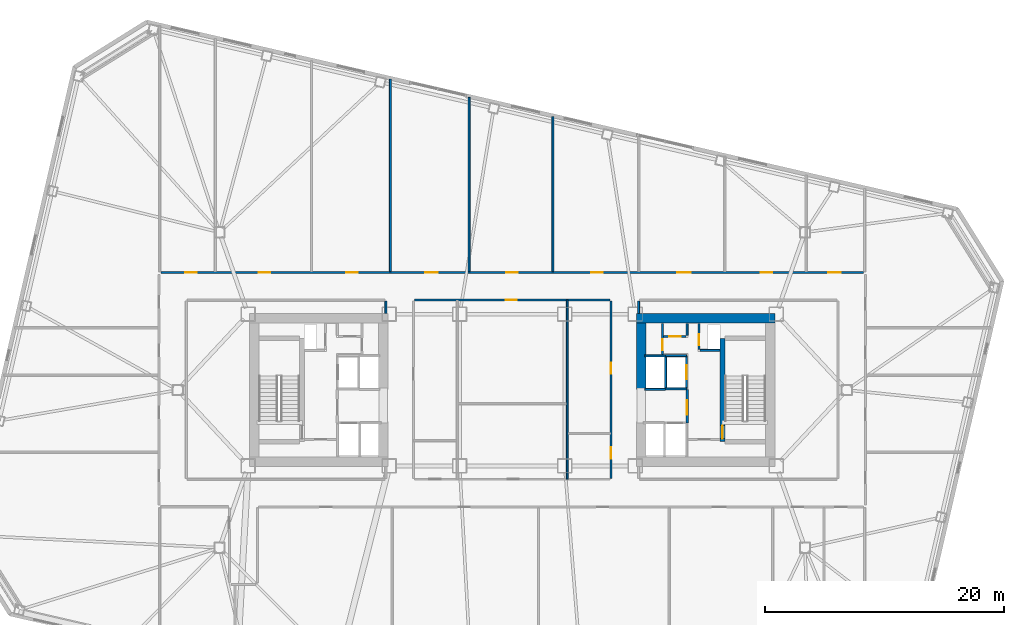
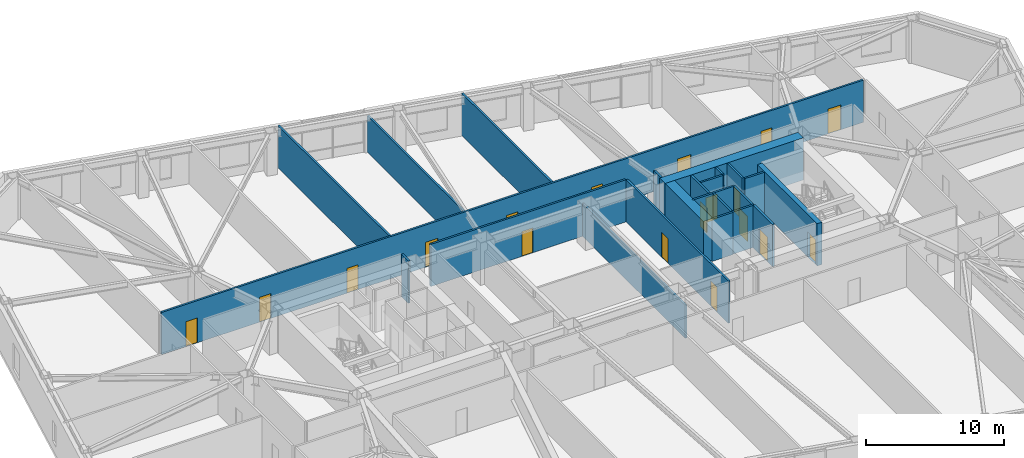
# One storey, part 11 of 18: 24 walls, 18 doors, 18 openings.
"""IFC4 building model written with IfcOpenShell, lengths in metres."""

from ifc_helpers import new_model, si_unit, direction, frame, frame_2d, origin, place, context, subcontext, project, spatial, rectangle, extrude, material, layer, layer_set, type_object, element, fill, save


model = new_model("IFC4")

# Units and contexts
model_context = context("Model", 3, precision=1e-05, world=origin(), true_north=direction((0.0, 1.0)))
body_context = subcontext(model_context, "Body", "Model", "MODEL_VIEW")
ifc_project = project(units=[si_unit("LENGTHUNIT", "METRE"), si_unit("AREAUNIT", "SQUARE_METRE"), si_unit("VOLUMEUNIT", "CUBIC_METRE"), si_unit("PLANEANGLEUNIT", "RADIAN"), si_unit("MASSUNIT", "GRAM", prefix="KILO")], contexts=[model_context])

# Site, building, storey
site_placement = place(None, origin())
site = spatial("IfcSite", under=ifc_project, at=site_placement, CompositionType="ELEMENT")
building_placement = place(site_placement, origin())
building = spatial("IfcBuilding", under=site, at=building_placement, Name="Tavrogorsk Clinical Tower", CompositionType="ELEMENT")
storey_placement = place(building_placement, frame((0.0, 0.0, 47.39990234375)))
storey = spatial("IfcBuildingStorey", under=building, at=storey_placement, Name="L09", CompositionType="ELEMENT", Elevation=47.39990234375)

# Wall, opening, door
ifc_material_1 = material(Name="Concrete B60", Category="concrete")
ifc_layer_1 = layer(ifc_material_1, 0.199951171875)
ifc_layer_set_1 = layer_set([ifc_layer_1], Name="Concrete B60")
wall_type_1 = type_object("IfcWallType", Name="CoreFireWall_200", PredefinedType="SOLIDWALL", material=ifc_layer_set_1)
wall_1_placement = place(storey_placement, frame((14.639892578125, -2.780029296875, 0.0), z_axis=(0.0, 0.0, 1.0), x_axis=(0.0, 1.0, 0.0)))
wall_1 = element("IfcWall", 1, at=wall_1_placement, inside=storey, type_object=wall_type_1, Name="L09 Core East Firefighting Lobby Fire Wall", PredefinedType="SOLIDWALL", context=body_context, shape_type="SweptSolid", body=[
    extrude(rectangle(XDim=2.820068359375, YDim=0.199951171875, at=frame_2d((1.41015625, 0.0))), origin(), (0.0, 0.0, 1.0), 3.739990234375),
])
opening_1_placement = place(wall_1_placement, frame((0.72998046875, 0.0, 0.0)))
opening_1 = element("IfcOpeningElement", 2, at=opening_1_placement, cuts=wall_1, Name="Opening FD-01", PredefinedType="OPENING", context=body_context, shape_type="SweptSolid", body=[
    extrude(rectangle(XDim=1.199951171875, YDim=2.199951171875, at=frame_2d((0.60009765625, 1.10009765625))), frame((0.0, 0.10986328125, 0.0), z_axis=(0.0, -1.0, 0.0), x_axis=(1.0, 0.0, 0.0)), (0.0, 0.0, 1.0), 0.219970703125),
])
ifc_material_2 = material(Name="Galvanised steel fire-rated door assembly", Category="steel")
door_type_1 = type_object("IfcDoorType", Name="FireDoor_FD01_1200", OperationType="NOTDEFINED", PredefinedType="DOOR", material=ifc_material_2)
door_1_placement = place(opening_1_placement, origin())
door_1 = element("IfcDoor", 3, at=door_1_placement, inside=storey, type_object=door_type_1, Name="L09 Core East Firefighting Lobby Entry Door", OperationType="SINGLE_SWING_RIGHT", OverallHeight=2.199951171875, OverallWidth=1.199951171875, PredefinedType="DOOR", context=body_context, shape_type="SweptSolid", body=[
    extrude(rectangle(XDim=1.199951171875, YDim=2.199951171875, at=frame_2d((0.60009765625, 1.10009765625))), frame((0.0, 0.02490234375, 0.0), z_axis=(0.0, -1.0, 0.0), x_axis=(1.0, 0.0, 0.0)), (0.0, 0.0, 1.0), 0.050048828125),
])
fill(opening_1, door_1)

# Wall
ifc_material_3 = material(Name="Lightweight concrete blockwork B15", Category="masonry")
ifc_layer_2 = layer(ifc_material_3, 0.139892578125)
ifc_layer_set_2 = layer_set([ifc_layer_2], Name="Lightweight concrete blockwork B15")
wall_type_2 = type_object("IfcWallType", Name="PartitionWall_140", PredefinedType="PARTITIONING", material=ifc_layer_set_2)
wall_2_placement = place(storey_placement, frame((4.60009765625, -7.465087890625, 0.0), z_axis=(0.0, 0.0, 1.0), x_axis=(0.0, 1.0, 0.0)))
element("IfcWall", 4, at=wall_2_placement, inside=storey, type_object=wall_type_2, Name="L09 Central Spine Partition 2", PredefinedType="PARTITIONING", context=body_context, shape_type="SweptSolid", body=[
    extrude(rectangle(XDim=14.97998046875, YDim=0.139892578125, at=frame_2d((7.489990234375, 0.0))), origin(), (0.0, 0.0, 1.0), 2.93505859375),
])

# Wall, opening, door
ifc_material_4 = material(Name="Lightweight concrete blockwork B15", Category="masonry")
ifc_layer_3 = layer(ifc_material_4, 0.159912109375)
ifc_layer_set_3 = layer_set([ifc_layer_3], Name="Lightweight concrete blockwork B15")
wall_type_3 = type_object("IfcWallType", Name="PartitionWall_160", PredefinedType="PARTITIONING", material=ifc_layer_set_3)
wall_3_placement = place(storey_placement, frame((12.580078125, 2.9599609375, 0.0), z_axis=(0.0, 0.0, 1.0), x_axis=(0.0, 1.0, 0.0)))
wall_3 = element("IfcWall", 5, at=wall_3_placement, inside=storey, type_object=wall_type_3, Name="L09 Core East Linen Closet Wall", PredefinedType="PARTITIONING", context=body_context, shape_type="SweptSolid", body=[
    extrude(rectangle(XDim=2.60009765625, YDim=0.159912109375, at=frame_2d((1.300048828125, 0.0))), origin(), (0.0, 0.0, 1.0), 3.739990234375),
])
opening_2_placement = place(wall_3_placement, frame((0.35009765625, 0.0, 0.0)))
opening_2 = element("IfcOpeningElement", 6, at=opening_2_placement, cuts=wall_3, Name="Opening ID-02", PredefinedType="OPENING", context=body_context, shape_type="SweptSolid", body=[
    extrude(rectangle(XDim=0.949951171875, YDim=2.199951171875, at=frame_2d((0.47509765625, 1.10009765625))), frame((0.0, 0.08984375, 0.0), z_axis=(0.0, -1.0, 0.0), x_axis=(1.0, 0.0, 0.0)), (0.0, 0.0, 1.0), 0.179931640625),
])
ifc_material_5 = material(Name="Laminated timber leaf on aluminium frame", Category="wood")
door_type_2 = type_object("IfcDoorType", Name="InteriorDoor_ID02_950", OperationType="NOTDEFINED", PredefinedType="DOOR", material=ifc_material_5)
door_2_placement = place(opening_2_placement, origin())
door_2 = element("IfcDoor", 7, at=door_2_placement, inside=storey, type_object=door_type_2, Name="L09 Core East Linen Closet Door", OperationType="SINGLE_SWING_RIGHT", OverallHeight=2.199951171875, OverallWidth=0.949951171875, PredefinedType="DOOR", context=body_context, shape_type="SweptSolid", body=[
    extrude(rectangle(XDim=0.949951171875, YDim=2.199951171875, at=frame_2d((0.47509765625, 1.10009765625))), frame((0.0, 0.02490234375, 0.0), z_axis=(0.0, -1.0, 0.0), x_axis=(1.0, 0.0, 0.0)), (0.0, 0.0, 1.0), 0.050048828125),
])
fill(opening_2, door_2)

wall_4_placement = place(storey_placement, frame((12.6650390625, 4.47998046875, 0.0), z_axis=(0.0, 0.0, 1.0), x_axis=(1.0, 0.0, 0.0)))
wall_4 = element("IfcWall", 8, at=wall_4_placement, inside=storey, type_object=wall_type_3, Name="L09 Core East Housekeeping South Wall", PredefinedType="PARTITIONING", context=body_context, shape_type="SweptSolid", body=[
    extrude(rectangle(XDim=1.889892578125, YDim=0.159912109375, at=frame_2d((0.94482421875, 0.0))), origin(), (0.0, 0.0, 1.0), 3.739990234375),
])
opening_3_placement = place(wall_4_placement, frame((0.5, 0.0, 0.0)))
opening_3 = element("IfcOpeningElement", 9, at=opening_3_placement, cuts=wall_4, Name="Opening ID-02", PredefinedType="OPENING", context=body_context, shape_type="SweptSolid", body=[
    extrude(rectangle(XDim=0.949951171875, YDim=2.199951171875, at=frame_2d((0.47509765625, 1.10009765625))), frame((0.0, 0.08984375, 0.0), z_axis=(0.0, -1.0, 0.0), x_axis=(1.0, 0.0, 0.0)), (0.0, 0.0, 1.0), 0.179931640625),
])
door_3_placement = place(opening_3_placement, origin())
door_3 = element("IfcDoor", 10, at=door_3_placement, inside=storey, type_object=door_type_2, Name="L09 Core East Housekeeping Closet Door", OperationType="SINGLE_SWING_LEFT", OverallHeight=2.199951171875, OverallWidth=0.949951171875, PredefinedType="DOOR", context=body_context, shape_type="SweptSolid", body=[
    extrude(rectangle(XDim=0.949951171875, YDim=2.199951171875, at=frame_2d((0.47509765625, 1.10009765625))), frame((0.0, 0.02490234375, 0.0), z_axis=(0.0, -1.0, 0.0), x_axis=(1.0, 0.0, 0.0)), (0.0, 0.0, 1.0), 0.050048828125),
])
fill(opening_3, door_3)

# Wall
wall_5_placement = place(storey_placement, frame((14.639892578125, 4.56494140625, 0.0), z_axis=(0.0, 0.0, 1.0), x_axis=(0.0, 1.0, 0.0)))
element("IfcWall", 11, at=wall_5_placement, inside=storey, type_object=wall_type_3, Name="L09 Core East Housekeeping East Wall", PredefinedType="PARTITIONING", context=body_context, shape_type="SweptSolid", body=[
    extrude(rectangle(XDim=0.9951171875, YDim=0.159912109375, at=frame_2d((0.49755859375, 0.0))), origin(), (0.0, 0.0, 1.0), 3.739990234375),
])

# Wall, openings, doors
wall_6_placement = place(storey_placement, frame((-29.4150390625, 9.830078125, 0.0), z_axis=(0.0, 0.0, 1.0), x_axis=(1.0, 0.0, 0.0)))
wall_6 = element("IfcWall", 12, at=wall_6_placement, inside=storey, type_object=wall_type_3, Name="L09 Corridor Partition 03", PredefinedType="PARTITIONING", context=body_context, shape_type="SweptSolid", body=[
    extrude(rectangle(XDim=58.830078125, YDim=0.159912109375, at=frame_2d((29.4150390625, 0.0))), origin(), (0.0, 0.0, 1.0), 3.739990234375),
])
opening_4_placement = place(wall_6_placement, frame((2.044189453125, 0.0, 0.0)))
opening_4 = element("IfcOpeningElement", 13, at=opening_4_placement, cuts=wall_6, Name="Opening ID-02", PredefinedType="OPENING", context=body_context, shape_type="SweptSolid", body=[
    extrude(rectangle(XDim=0.949951171875, YDim=2.199951171875, at=frame_2d((0.47509765625, 1.10009765625))), frame((0.0, 0.08984375, 0.0), z_axis=(0.0, -1.0, 0.0), x_axis=(1.0, 0.0, 0.0)), (0.0, 0.0, 1.0), 0.179931640625),
])
opening_5_placement = place(wall_6_placement, frame((8.199951171875, 0.0, 0.0)))
opening_5 = element("IfcOpeningElement", 14, at=opening_5_placement, cuts=wall_6, Name="Opening ID-02", PredefinedType="OPENING", context=body_context, shape_type="SweptSolid", body=[
    extrude(rectangle(XDim=0.949951171875, YDim=2.199951171875, at=frame_2d((0.47509765625, 1.10009765625))), frame((0.0, 0.08984375, 0.0), z_axis=(0.0, -1.0, 0.0), x_axis=(1.0, 0.0, 0.0)), (0.0, 0.0, 1.0), 0.179931640625),
])
opening_6_placement = place(wall_6_placement, frame((15.52490234375, 0.0, 0.0)))
opening_6 = element("IfcOpeningElement", 15, at=opening_6_placement, cuts=wall_6, Name="Opening ID-02", PredefinedType="OPENING", context=body_context, shape_type="SweptSolid", body=[
    extrude(rectangle(XDim=0.949951171875, YDim=2.199951171875, at=frame_2d((0.47509765625, 1.10009765625))), frame((0.0, 0.08984375, 0.0), z_axis=(0.0, -1.0, 0.0), x_axis=(1.0, 0.0, 0.0)), (0.0, 0.0, 1.0), 0.179931640625),
])
opening_7_placement = place(wall_6_placement, frame((22.125, 0.0, 0.0)))
opening_7 = element("IfcOpeningElement", 16, at=opening_7_placement, cuts=wall_6, Name="Opening ID-04", PredefinedType="OPENING", context=body_context, shape_type="SweptSolid", body=[
    extrude(rectangle(XDim=1.050048828125, YDim=2.199951171875, at=frame_2d((0.52490234375, 1.10009765625))), frame((0.0, 0.08984375, 0.0), z_axis=(0.0, -1.0, 0.0), x_axis=(1.0, 0.0, 0.0)), (0.0, 0.0, 1.0), 0.179931640625),
])
opening_8_placement = place(wall_6_placement, frame((28.925048828125, 0.0, 0.0)))
opening_8 = element("IfcOpeningElement", 17, at=opening_8_placement, cuts=wall_6, Name="Opening ID-02", PredefinedType="OPENING", context=body_context, shape_type="SweptSolid", body=[
    extrude(rectangle(XDim=0.949951171875, YDim=2.199951171875, at=frame_2d((0.47509765625, 1.10009765625))), frame((0.0, 0.08984375, 0.0), z_axis=(0.0, -1.0, 0.0), x_axis=(1.0, 0.0, 0.0)), (0.0, 0.0, 1.0), 0.179931640625),
])
opening_9_placement = place(wall_6_placement, frame((36.02490234375, 0.0, 0.0)))
opening_9 = element("IfcOpeningElement", 18, at=opening_9_placement, cuts=wall_6, Name="Opening ID-02", PredefinedType="OPENING", context=body_context, shape_type="SweptSolid", body=[
    extrude(rectangle(XDim=0.949951171875, YDim=2.199951171875, at=frame_2d((0.47509765625, 1.10009765625))), frame((0.0, 0.08984375, 0.0), z_axis=(0.0, -1.0, 0.0), x_axis=(1.0, 0.0, 0.0)), (0.0, 0.0, 1.0), 0.179931640625),
])
opening_10_placement = place(wall_6_placement, frame((43.22509765625, 0.0, 0.0)))
opening_10 = element("IfcOpeningElement", 19, at=opening_10_placement, cuts=wall_6, Name="Opening ID-06", PredefinedType="OPENING", context=body_context, shape_type="SweptSolid", body=[
    extrude(rectangle(XDim=1.14990234375, YDim=2.199951171875, at=frame_2d((0.574951171875, 1.10009765625))), frame((0.0, 0.08984375, 0.0), z_axis=(0.0, -1.0, 0.0), x_axis=(1.0, 0.0, 0.0)), (0.0, 0.0, 1.0), 0.179931640625),
])
opening_11_placement = place(wall_6_placement, frame((50.22509765625, 0.0, 0.0)))
opening_11 = element("IfcOpeningElement", 20, at=opening_11_placement, cuts=wall_6, Name="Opening ID-02", PredefinedType="OPENING", context=body_context, shape_type="SweptSolid", body=[
    extrude(rectangle(XDim=0.949951171875, YDim=2.199951171875, at=frame_2d((0.47509765625, 1.10009765625))), frame((0.0, 0.08984375, 0.0), z_axis=(0.0, -1.0, 0.0), x_axis=(1.0, 0.0, 0.0)), (0.0, 0.0, 1.0), 0.179931640625),
])
opening_12_placement = place(wall_6_placement, frame((55.880859375, 0.0, 0.0)))
opening_12 = element("IfcOpeningElement", 21, at=opening_12_placement, cuts=wall_6, Name="Opening ID-04", PredefinedType="OPENING", context=body_context, shape_type="SweptSolid", body=[
    extrude(rectangle(XDim=1.050048828125, YDim=2.199951171875, at=frame_2d((0.52490234375, 1.10009765625))), frame((0.0, 0.08984375, 0.0), z_axis=(0.0, -1.0, 0.0), x_axis=(1.0, 0.0, 0.0)), (0.0, 0.0, 1.0), 0.179931640625),
])
ifc_material_6 = material(Name="Antibacterial HPL consultation door on aluminium frame", Category="aluminium")
door_type_3 = type_object("IfcDoorType", Name="ConsultDoor_ID04_1050", OperationType="NOTDEFINED", PredefinedType="DOOR", material=ifc_material_6)
door_4_placement = place(opening_7_placement, origin())
door_4 = element("IfcDoor", 22, at=door_4_placement, inside=storey, type_object=door_type_3, Name="L09 North Renal Patient Quiet Lounge 04 Door", OperationType="SINGLE_SWING_RIGHT", OverallHeight=2.199951171875, OverallWidth=1.050048828125, PredefinedType="DOOR", context=body_context, shape_type="SweptSolid", body=[
    extrude(rectangle(XDim=1.050048828125, YDim=2.199951171875, at=frame_2d((0.52490234375, 1.10009765625))), frame((0.0, 0.02490234375, 0.0), z_axis=(0.0, -1.0, 0.0), x_axis=(1.0, 0.0, 0.0)), (0.0, 0.0, 1.0), 0.050048828125),
])
fill(opening_7, door_4)
door_5_placement = place(opening_12_placement, origin())
door_5 = element("IfcDoor", 23, at=door_5_placement, inside=storey, type_object=door_type_3, Name="L09 North Nephrology Consultation Office 09 Door", OperationType="SINGLE_SWING_LEFT", OverallHeight=2.199951171875, OverallWidth=1.050048828125, PredefinedType="DOOR", context=body_context, shape_type="SweptSolid", body=[
    extrude(rectangle(XDim=1.050048828125, YDim=2.199951171875, at=frame_2d((0.52490234375, 1.10009765625))), frame((0.0, 0.02490234375, 0.0), z_axis=(0.0, -1.0, 0.0), x_axis=(1.0, 0.0, 0.0)), (0.0, 0.0, 1.0), 0.050048828125),
])
fill(opening_12, door_5)
door_6_placement = place(opening_4_placement, origin())
door_6 = element("IfcDoor", 24, at=door_6_placement, inside=storey, type_object=door_type_2, Name="L09 North Nephrology Consultation Office 01 Door", OperationType="SINGLE_SWING_LEFT", OverallHeight=2.199951171875, OverallWidth=0.949951171875, PredefinedType="DOOR", context=body_context, shape_type="SweptSolid", body=[
    extrude(rectangle(XDim=0.949951171875, YDim=2.199951171875, at=frame_2d((0.47509765625, 1.10009765625))), frame((0.0, 0.02490234375, 0.0), z_axis=(0.0, -1.0, 0.0), x_axis=(1.0, 0.0, 0.0)), (0.0, 0.0, 1.0), 0.050048828125),
])
fill(opening_4, door_6)
door_7_placement = place(opening_5_placement, origin())
door_7 = element("IfcDoor", 25, at=door_7_placement, inside=storey, type_object=door_type_2, Name="L09 North Dialysis Water Treatment Utility 02 Door", OperationType="SINGLE_SWING_RIGHT", OverallHeight=2.199951171875, OverallWidth=0.949951171875, PredefinedType="DOOR", context=body_context, shape_type="SweptSolid", body=[
    extrude(rectangle(XDim=0.949951171875, YDim=2.199951171875, at=frame_2d((0.47509765625, 1.10009765625))), frame((0.0, 0.02490234375, 0.0), z_axis=(0.0, -1.0, 0.0), x_axis=(1.0, 0.0, 0.0)), (0.0, 0.0, 1.0), 0.050048828125),
])
fill(opening_5, door_7)
door_8_placement = place(opening_6_placement, origin())
door_8 = element("IfcDoor", 26, at=door_8_placement, inside=storey, type_object=door_type_2, Name="L09 North Outpatient Renal Dialysis Station 03 Door", OperationType="SINGLE_SWING_LEFT", OverallHeight=2.199951171875, OverallWidth=0.949951171875, PredefinedType="DOOR", context=body_context, shape_type="SweptSolid", body=[
    extrude(rectangle(XDim=0.949951171875, YDim=2.199951171875, at=frame_2d((0.47509765625, 1.10009765625))), frame((0.0, 0.02490234375, 0.0), z_axis=(0.0, -1.0, 0.0), x_axis=(1.0, 0.0, 0.0)), (0.0, 0.0, 1.0), 0.050048828125),
])
fill(opening_6, door_8)
door_9_placement = place(opening_8_placement, origin())
door_9 = element("IfcDoor", 27, at=door_9_placement, inside=storey, type_object=door_type_2, Name="L09 North Nephrology Consultation Office 05 Door", OperationType="SINGLE_SWING_LEFT", OverallHeight=2.199951171875, OverallWidth=0.949951171875, PredefinedType="DOOR", context=body_context, shape_type="SweptSolid", body=[
    extrude(rectangle(XDim=0.949951171875, YDim=2.199951171875, at=frame_2d((0.47509765625, 1.10009765625))), frame((0.0, 0.02490234375, 0.0), z_axis=(0.0, -1.0, 0.0), x_axis=(1.0, 0.0, 0.0)), (0.0, 0.0, 1.0), 0.050048828125),
])
fill(opening_8, door_9)
door_10_placement = place(opening_9_placement, origin())
door_10 = element("IfcDoor", 28, at=door_10_placement, inside=storey, type_object=door_type_2, Name="L09 North Dialysis Water Treatment Utility 06 Door", OperationType="SINGLE_SWING_RIGHT", OverallHeight=2.199951171875, OverallWidth=0.949951171875, PredefinedType="DOOR", context=body_context, shape_type="SweptSolid", body=[
    extrude(rectangle(XDim=0.949951171875, YDim=2.199951171875, at=frame_2d((0.47509765625, 1.10009765625))), frame((0.0, 0.02490234375, 0.0), z_axis=(0.0, -1.0, 0.0), x_axis=(1.0, 0.0, 0.0)), (0.0, 0.0, 1.0), 0.050048828125),
])
fill(opening_9, door_10)
door_11_placement = place(opening_11_placement, origin())
door_11 = element("IfcDoor", 29, at=door_11_placement, inside=storey, type_object=door_type_2, Name="L09 North Renal Patient Quiet Lounge 08 Door", OperationType="SINGLE_SWING_RIGHT", OverallHeight=2.199951171875, OverallWidth=0.949951171875, PredefinedType="DOOR", context=body_context, shape_type="SweptSolid", body=[
    extrude(rectangle(XDim=0.949951171875, YDim=2.199951171875, at=frame_2d((0.47509765625, 1.10009765625))), frame((0.0, 0.02490234375, 0.0), z_axis=(0.0, -1.0, 0.0), x_axis=(1.0, 0.0, 0.0)), (0.0, 0.0, 1.0), 0.050048828125),
])
fill(opening_11, door_11)
ifc_material_7 = material(Name="Antibacterial HPL procedure door on aluminium frame", Category="aluminium")
door_type_4 = type_object("IfcDoorType", Name="LabDoor_ID06_1150", OperationType="NOTDEFINED", PredefinedType="DOOR", material=ifc_material_7)
door_12_placement = place(opening_10_placement, origin())
door_12 = element("IfcDoor", 30, at=door_12_placement, inside=storey, type_object=door_type_4, Name="L09 North Outpatient Renal Dialysis Station 07 Door", OperationType="SINGLE_SWING_LEFT", OverallHeight=2.199951171875, OverallWidth=1.14990234375, PredefinedType="DOOR", context=body_context, shape_type="SweptSolid", body=[
    extrude(rectangle(XDim=1.14990234375, YDim=2.199951171875, at=frame_2d((0.574951171875, 1.10009765625))), frame((0.0, 0.02490234375, 0.0), z_axis=(0.0, -1.0, 0.0), x_axis=(1.0, 0.0, 0.0)), (0.0, 0.0, 1.0), 0.050048828125),
])
fill(opening_10, door_12)

# Wall
wall_7_placement = place(storey_placement, frame((10.580078125, 7.43505859375, 0.0), z_axis=(0.0, 0.0, 1.0), x_axis=(0.0, -1.0, 0.0)))
element("IfcWall", 31, at=wall_7_placement, inside=storey, type_object=wall_type_3, Name="L09 Corridor Partition 10", PredefinedType="PARTITIONING", context=body_context, shape_type="SweptSolid", body=[
    extrude(rectangle(XDim=1.01513671875, YDim=0.159912109375, at=frame_2d((0.507568359375, 0.0))), origin(), (0.0, 0.0, 1.0), 3.739990234375),
])

# Wall, opening, door
wall_8_placement = place(storey_placement, frame((8.18505859375, 7.52001953125, 0.0), z_axis=(0.0, 0.0, 1.0), x_axis=(-1.0, 0.0, 0.0)))
wall_8 = element("IfcWall", 32, at=wall_8_placement, inside=storey, type_object=wall_type_3, Name="L09 Corridor Partition 14", PredefinedType="PARTITIONING", context=body_context, shape_type="SweptSolid", body=[
    extrude(rectangle(XDim=16.3701171875, YDim=0.159912109375, at=frame_2d((8.18505859375, 0.0))), origin(), (0.0, 0.0, 1.0), 3.739990234375),
])
opening_13_placement = place(wall_8_placement, frame((7.794921875, 0.0, 0.0)))
opening_13 = element("IfcOpeningElement", 33, at=opening_13_placement, cuts=wall_8, Name="Opening ID-02", PredefinedType="OPENING", context=body_context, shape_type="SweptSolid", body=[
    extrude(rectangle(XDim=0.949951171875, YDim=2.199951171875, at=frame_2d((0.47509765625, 1.10009765625))), frame((0.0, 0.08984375, 0.0), z_axis=(0.0, -1.0, 0.0), x_axis=(1.0, 0.0, 0.0)), (0.0, 0.0, 1.0), 0.179931640625),
])
door_13_placement = place(opening_13_placement, origin())
door_13 = element("IfcDoor", 34, at=door_13_placement, inside=storey, type_object=door_type_2, Name="L09 Nurses' Station & Triage Hub Door", OperationType="SINGLE_SWING_RIGHT", OverallHeight=2.199951171875, OverallWidth=0.949951171875, PredefinedType="DOOR", context=body_context, shape_type="SweptSolid", body=[
    extrude(rectangle(XDim=0.949951171875, YDim=2.199951171875, at=frame_2d((0.47509765625, 1.10009765625))), frame((0.0, 0.02490234375, 0.0), z_axis=(0.0, -1.0, 0.0), x_axis=(1.0, 0.0, 0.0)), (0.0, 0.0, 1.0), 0.050048828125),
])
fill(opening_13, door_13)

# Wall, openings, doors
wall_9_placement = place(storey_placement, frame((8.27001953125, -7.385009765625, 0.0), z_axis=(0.0, 0.0, 1.0), x_axis=(0.0, 1.0, 0.0)))
wall_9 = element("IfcWall", 35, at=wall_9_placement, inside=storey, type_object=wall_type_3, Name="L09 Corridor Partition 17", PredefinedType="PARTITIONING", context=body_context, shape_type="SweptSolid", body=[
    extrude(rectangle(XDim=14.820068359375, YDim=0.159912109375, at=frame_2d((7.41015625, 0.0))), origin(), (0.0, 0.0, 1.0), 3.739990234375),
])
opening_14_placement = place(wall_9_placement, frame((1.629150390625, 0.0, 0.0)))
opening_14 = element("IfcOpeningElement", 36, at=opening_14_placement, cuts=wall_9, Name="Opening ID-02", PredefinedType="OPENING", context=body_context, shape_type="SweptSolid", body=[
    extrude(rectangle(XDim=0.949951171875, YDim=2.199951171875, at=frame_2d((0.47509765625, 1.10009765625))), frame((0.0, 0.08984375, 0.0), z_axis=(0.0, -1.0, 0.0), x_axis=(1.0, 0.0, 0.0)), (0.0, 0.0, 1.0), 0.179931640625),
])
opening_15_placement = place(wall_9_placement, frame((8.73583984375, 0.0, 0.0)))
opening_15 = element("IfcOpeningElement", 37, at=opening_15_placement, cuts=wall_9, Name="Opening ID-02", PredefinedType="OPENING", context=body_context, shape_type="SweptSolid", body=[
    extrude(rectangle(XDim=0.949951171875, YDim=2.199951171875, at=frame_2d((0.47509765625, 1.10009765625))), frame((0.0, 0.08984375, 0.0), z_axis=(0.0, -1.0, 0.0), x_axis=(1.0, 0.0, 0.0)), (0.0, 0.0, 1.0), 0.179931640625),
])
door_14_placement = place(opening_14_placement, origin())
door_14 = element("IfcDoor", 38, at=door_14_placement, inside=storey, type_object=door_type_2, Name="L09 Staff & Visitor Accessible WC Door", OperationType="SINGLE_SWING_LEFT", OverallHeight=2.199951171875, OverallWidth=0.949951171875, PredefinedType="DOOR", context=body_context, shape_type="SweptSolid", body=[
    extrude(rectangle(XDim=0.949951171875, YDim=2.199951171875, at=frame_2d((0.47509765625, 1.10009765625))), frame((0.0, 0.02490234375, 0.0), z_axis=(0.0, -1.0, 0.0), x_axis=(1.0, 0.0, 0.0)), (0.0, 0.0, 1.0), 0.050048828125),
])
fill(opening_14, door_14)
door_15_placement = place(opening_15_placement, origin())
door_15 = element("IfcDoor", 39, at=door_15_placement, inside=storey, type_object=door_type_2, Name="L09 Attending Physician Office Door", OperationType="SINGLE_SWING_RIGHT", OverallHeight=2.199951171875, OverallWidth=0.949951171875, PredefinedType="DOOR", context=body_context, shape_type="SweptSolid", body=[
    extrude(rectangle(XDim=0.949951171875, YDim=2.199951171875, at=frame_2d((0.47509765625, 1.10009765625))), frame((0.0, 0.02490234375, 0.0), z_axis=(0.0, -1.0, 0.0), x_axis=(1.0, 0.0, 0.0)), (0.0, 0.0, 1.0), 0.050048828125),
])
fill(opening_15, door_15)

# Walls
wall_10_placement = place(storey_placement, frame((-10.580078125, 6.419921875, 0.0), z_axis=(0.0, 0.0, 1.0), x_axis=(0.0, 1.0, 0.0)))
element("IfcWall", 40, at=wall_10_placement, inside=storey, type_object=wall_type_3, Name="L09 Corridor Partition 19", PredefinedType="PARTITIONING", context=body_context, shape_type="SweptSolid", body=[
    extrude(rectangle(XDim=1.01513671875, YDim=0.159912109375, at=frame_2d((0.507568359375, 0.0))), origin(), (0.0, 0.0, 1.0), 3.739990234375),
])
wall_11_placement = place(storey_placement, frame((-10.199951171875, 9.9150390625, 0.0), z_axis=(0.0, 0.0, 1.0), x_axis=(0.0, 1.0, 0.0)))
element("IfcWall", 41, at=wall_11_placement, inside=storey, type_object=wall_type_3, Name="L09 North Room Partition 3", PredefinedType="PARTITIONING", context=body_context, shape_type="SweptSolid", body=[
    extrude(rectangle(XDim=16.11279296875, YDim=0.159912109375, at=frame_2d((8.056396484375, 0.0))), origin(), (0.0, 0.0, 1.0), 3.739990234375),
])
wall_12_placement = place(storey_placement, frame((-3.60009765625, 9.9150390625, 0.0), z_axis=(0.0, 0.0, 1.0), x_axis=(0.0, 1.0, 0.0)))
element("IfcWall", 42, at=wall_12_placement, inside=storey, type_object=wall_type_3, Name="L09 North Room Partition 4", PredefinedType="PARTITIONING", context=body_context, shape_type="SweptSolid", body=[
    extrude(rectangle(XDim=14.589111328125, YDim=0.159912109375, at=frame_2d((7.29443359375, 0.0))), origin(), (0.0, 0.0, 1.0), 3.235107421875),
])
wall_13_placement = place(storey_placement, frame((3.39990234375, 9.9150390625, 0.0), z_axis=(0.0, 0.0, 1.0), x_axis=(0.0, 1.0, 0.0)))
element("IfcWall", 43, at=wall_13_placement, inside=storey, type_object=wall_type_3, Name="L09 North Room Partition 5", PredefinedType="PARTITIONING", context=body_context, shape_type="SweptSolid", body=[
    extrude(rectangle(XDim=12.972900390625, YDim=0.159912109375, at=frame_2d((6.486328125, 0.0))), origin(), (0.0, 0.0, 1.0), 3.739990234375),
])

# Wall, opening, door
ifc_material_8 = material(Name="Lightweight concrete blockwork B25", Category="masonry")
ifc_layer_4 = layer(ifc_material_8, 0.159912109375)
ifc_layer_set_4 = layer_set([ifc_layer_4], Name="Lightweight concrete blockwork B25")
wall_type_4 = type_object("IfcWallType", Name="ShaftWall_160", PredefinedType="PARTITIONING", material=ifc_layer_set_4)
wall_14_placement = place(storey_placement, frame((14.60009765625, 0.1201171875, 0.0), z_axis=(0.0, 0.0, 1.0), x_axis=(0.0, 1.0, 0.0)))
wall_14 = element("IfcWall", 44, at=wall_14_placement, inside=storey, type_object=wall_type_4, Name="L09 FFL-E Firefighting Lift Front Wall", PredefinedType="PARTITIONING", context=body_context, shape_type="SweptSolid", body=[
    extrude(rectangle(XDim=2.739990234375, YDim=0.159912109375, at=frame_2d((1.3701171875, 0.0))), origin(), (0.0, 0.0, 1.0), 3.739990234375),
])
opening_16_placement = place(wall_14_placement, frame((0.77001953125, 0.0, 0.0)))
opening_16 = element("IfcOpeningElement", 45, at=opening_16_placement, cuts=wall_14, Name="Opening LD", PredefinedType="OPENING", context=body_context, shape_type="SweptSolid", body=[
    extrude(rectangle(XDim=1.199951171875, YDim=2.199951171875, at=frame_2d((0.60009765625, 1.10009765625))), frame((0.0, 0.08984375, 0.0), z_axis=(0.0, -1.0, 0.0), x_axis=(1.0, 0.0, 0.0)), (0.0, 0.0, 1.0), 0.179931640625),
])
ifc_material_9 = material(Name="Brushed stainless steel AISI 304 sliding doors", Category="steel")
door_type_5 = type_object("IfcDoorType", Name="LiftLandingDoor_LD_1200", OperationType="SLIDING_TO_LEFT", PredefinedType="DOOR", material=ifc_material_9)
door_16_placement = place(opening_16_placement, origin())
door_16 = element("IfcDoor", 46, at=door_16_placement, inside=storey, type_object=door_type_5, Name="L09 FFL-E Sliding Lift Landing Door", OperationType="SLIDING_TO_LEFT", OverallHeight=2.199951171875, OverallWidth=1.199951171875, PredefinedType="DOOR", context=body_context, shape_type="SweptSolid", body=[
    extrude(rectangle(XDim=1.199951171875, YDim=2.199951171875, at=frame_2d((0.60009765625, 1.10009765625))), frame((0.0, 0.02490234375, 0.0), z_axis=(0.0, -1.0, 0.0), x_axis=(1.0, 0.0, 0.0)), (0.0, 0.0, 1.0), 0.050048828125),
])
fill(opening_16, door_16)

# Walls
for number, where, z_axis, x_axis, name in (
    (47, (12.840087890625, 0.10009765625, 0.0), (0.0, 0.0, 1.0), (1.0, 0.0, 0.0), "L09 FFL-E Shaft South Wall"),
    (48, (12.840087890625, 2.8798828125, 0.0), (0.0, 0.0, 1.0), (1.0, 0.0, 0.0), "L09 FFL-E Shaft North Wall"),
):
    element("IfcWall", number, at=place(storey_placement, frame(where, z_axis=z_axis, x_axis=x_axis)), inside=storey, type_object=wall_type_4, Name=name, PredefinedType="PARTITIONING", context=body_context, shape_type="SweptSolid", body=[
        extrude(rectangle(XDim=1.760009765625, YDim=0.159912109375, at=frame_2d((0.8798828125, 0.0))), origin(), (0.0, 0.0, 1.0), 3.739990234375),
    ])
wall_15_placement = place(storey_placement, frame((12.840087890625, 0.179931640625, 0.0), z_axis=(0.0, 0.0, 1.0), x_axis=(0.0, 1.0, 0.0)))
element("IfcWall", 49, at=wall_15_placement, inside=storey, type_object=wall_type_4, Name="L09 FFL-E Shaft Back Wall", PredefinedType="PARTITIONING", context=body_context, shape_type="SweptSolid", body=[
    extrude(rectangle(XDim=2.6201171875, YDim=0.159912109375, at=frame_2d((1.31005859375, 0.0))), origin(), (0.0, 0.0, 1.0), 3.739990234375),
])
for number, where, z_axis, x_axis, name in (
    (50, (11.10009765625, 0.06005859375, 0.0), (0.0, 0.0, 1.0), (1.0, 0.0, 0.0), "L09 LP-H2 High-Zone Lift Portal Wall"),
    (51, (11.10009765625, 2.860107421875, 0.0), (0.0, 0.0, 1.0), (1.0, 0.0, 0.0), "L09 LP-H2 High-Zone Lift Rear Wall"),
):
    element("IfcWall", number, at=place(storey_placement, frame(where, z_axis=z_axis, x_axis=x_axis)), inside=storey, type_object=wall_type_4, Name=name, PredefinedType="PARTITIONING", context=body_context, shape_type="SweptSolid", body=[
        extrude(rectangle(XDim=1.719970703125, YDim=0.159912109375, at=frame_2d((0.85986328125, 0.0))), origin(), (0.0, 0.0, 1.0), 3.739990234375),
    ])

# Wall, opening, door
wall_16_placement = place(storey_placement, frame((15.639892578125, 3.405029296875, 0.0), z_axis=(0.0, 0.0, 1.0), x_axis=(0.0, 1.0, 0.0)))
wall_16 = element("IfcWall", 52, at=wall_16_placement, inside=storey, type_object=wall_type_4, Name="L09 Core East Riser West Wall", PredefinedType="PARTITIONING", context=body_context, shape_type="SweptSolid", body=[
    extrude(rectangle(XDim=2.155029296875, YDim=0.159912109375, at=frame_2d((1.07763671875, 0.0))), origin(), (0.0, 0.0, 1.0), 3.739990234375),
])
opening_17_placement = place(wall_16_placement, frame((0.35009765625, 0.0, 0.0)))
opening_17 = element("IfcOpeningElement", 53, at=opening_17_placement, cuts=wall_16, Name="Opening FD-02", PredefinedType="OPENING", context=body_context, shape_type="SweptSolid", body=[
    extrude(rectangle(XDim=0.89990234375, YDim=2.199951171875, at=frame_2d((0.449951171875, 1.10009765625))), frame((0.0, 0.08984375, 0.0), z_axis=(0.0, -1.0, 0.0), x_axis=(1.0, 0.0, 0.0)), (0.0, 0.0, 1.0), 0.179931640625),
])
ifc_material_10 = material(Name="Galvanised steel fire-rated door assembly", Category="steel")
door_type_6 = type_object("IfcDoorType", Name="FireDoor_FD02_900", OperationType="NOTDEFINED", PredefinedType="DOOR", material=ifc_material_10)
door_17_placement = place(opening_17_placement, origin())
door_17 = element("IfcDoor", 54, at=door_17_placement, inside=storey, type_object=door_type_6, Name="L09 Core East Electrical Riser Access Door", OperationType="SINGLE_SWING_RIGHT", OverallHeight=2.199951171875, OverallWidth=0.89990234375, PredefinedType="DOOR", context=body_context, shape_type="SweptSolid", body=[
    extrude(rectangle(XDim=0.89990234375, YDim=2.199951171875, at=frame_2d((0.449951171875, 1.10009765625))), frame((0.0, 0.02490234375, 0.0), z_axis=(0.0, -1.0, 0.0), x_axis=(1.0, 0.0, 0.0)), (0.0, 0.0, 1.0), 0.050048828125),
])
fill(opening_17, door_17)

# Wall
wall_17_placement = place(storey_placement, frame((15.72509765625, 3.320068359375, 0.0), z_axis=(0.0, 0.0, 1.0), x_axis=(1.0, 0.0, 0.0)))
element("IfcWall", 55, at=wall_17_placement, inside=storey, type_object=wall_type_4, Name="L09 Core East Riser South Wall", PredefinedType="PARTITIONING", context=body_context, shape_type="SweptSolid", body=[
    extrude(rectangle(XDim=1.65478515625, YDim=0.159912109375, at=frame_2d((0.827392578125, 0.0))), origin(), (0.0, 0.0, 1.0), 3.739990234375),
])

# Wall, opening, door
ifc_material_11 = material(Name="Concrete B80", Category="concrete")
ifc_layer_5 = layer(ifc_material_11, 0.39990234375)
ifc_layer_set_5 = layer_set([ifc_layer_5], Name="Concrete B80")
wall_type_5 = type_object("IfcWallType", Name="ShearWall_400", PredefinedType="SHEAR", material=ifc_layer_set_5)
wall_18_placement = place(storey_placement, frame((17.60009765625, -4.324951171875, 0.0), z_axis=(0.0, 0.0, 1.0), x_axis=(0.0, 1.0, 0.0)))
wall_18 = element("IfcWall", 56, at=wall_18_placement, inside=storey, type_object=wall_type_5, Name="L09 Core East Stair Shaft Inner Shear Wall", PredefinedType="SHEAR", context=body_context, shape_type="SweptSolid", body=[
    extrude(rectangle(XDim=8.64990234375, YDim=0.39990234375, at=frame_2d((4.324951171875, 0.0))), origin(), (0.0, 0.0, 1.0), 3.739990234375),
])
opening_18_placement = place(wall_18_placement, frame((0.25, 0.0, 0.0)))
opening_18 = element("IfcOpeningElement", 57, at=opening_18_placement, cuts=wall_18, Name="Opening SD-01", PredefinedType="OPENING", context=body_context, shape_type="SweptSolid", body=[
    extrude(rectangle(XDim=1.10009765625, YDim=2.199951171875, at=frame_2d((0.550048828125, 1.10009765625))), frame((0.0, 0.2099609375, 0.0), z_axis=(0.0, -1.0, 0.0), x_axis=(1.0, 0.0, 0.0)), (0.0, 0.0, 1.0), 0.419921875),
])
ifc_material_12 = material(Name="Galvanised steel smoke-tight fire door assembly", Category="steel")
door_type_7 = type_object("IfcDoorType", Name="StairFireDoor_SD01_1100", OperationType="NOTDEFINED", PredefinedType="DOOR", material=ifc_material_12)
door_18_placement = place(opening_18_placement, origin())
door_18 = element("IfcDoor", 58, at=door_18_placement, inside=storey, type_object=door_type_7, Name="L09 ST-E Exit Stair Door", OperationType="SINGLE_SWING_LEFT", OverallHeight=2.199951171875, OverallWidth=1.10009765625, PredefinedType="DOOR", context=body_context, shape_type="SweptSolid", body=[
    extrude(rectangle(XDim=1.10009765625, YDim=2.199951171875, at=frame_2d((0.550048828125, 1.10009765625))), frame((0.0, 0.02490234375, 0.0), z_axis=(0.0, -1.0, 0.0), x_axis=(1.0, 0.0, 0.0)), (0.0, 0.0, 1.0), 0.050048828125),
])
fill(opening_18, door_18)

# Walls
ifc_material_13 = material(Name="Concrete B80", Category="concrete")
ifc_layer_6 = layer(ifc_material_13, 0.800048828125)
ifc_layer_set_6 = layer_set([ifc_layer_6], Name="Concrete B80")
wall_type_6 = type_object("IfcWallType", Name="ShearWall_800", PredefinedType="SHEAR", material=ifc_layer_set_6)
wall_19_placement = place(storey_placement, frame((10.39990234375, 6.0, 0.0), z_axis=(0.0, 0.0, 1.0), x_axis=(1.0, 0.0, 0.0)))
element("IfcWall", 59, at=wall_19_placement, inside=storey, type_object=wall_type_6, Name="L09 Core East North Shear Wall", PredefinedType="SHEAR", context=body_context, shape_type="SweptSolid", body=[
    extrude(rectangle(XDim=11.60009765625, YDim=0.800048828125, at=frame_2d((5.800048828125, 0.0))), origin(), (0.0, 0.0, 1.0), 3.739990234375),
])
wall_20_placement = place(storey_placement, frame((10.800048828125, 0.050048828125, 0.0), z_axis=(0.0, 0.0, 1.0), x_axis=(0.0, 1.0, 0.0)))
element("IfcWall", 60, at=wall_20_placement, inside=storey, type_object=wall_type_6, Name="L09 Core East Inner North Pier", PredefinedType="SHEAR", context=body_context, shape_type="SweptSolid", body=[
    extrude(rectangle(XDim=5.550048828125, YDim=0.800048828125, at=frame_2d((2.77490234375, 0.0))), origin(), (0.0, 0.0, 1.0), 3.739990234375),
])

save(model, "model.ifc")
